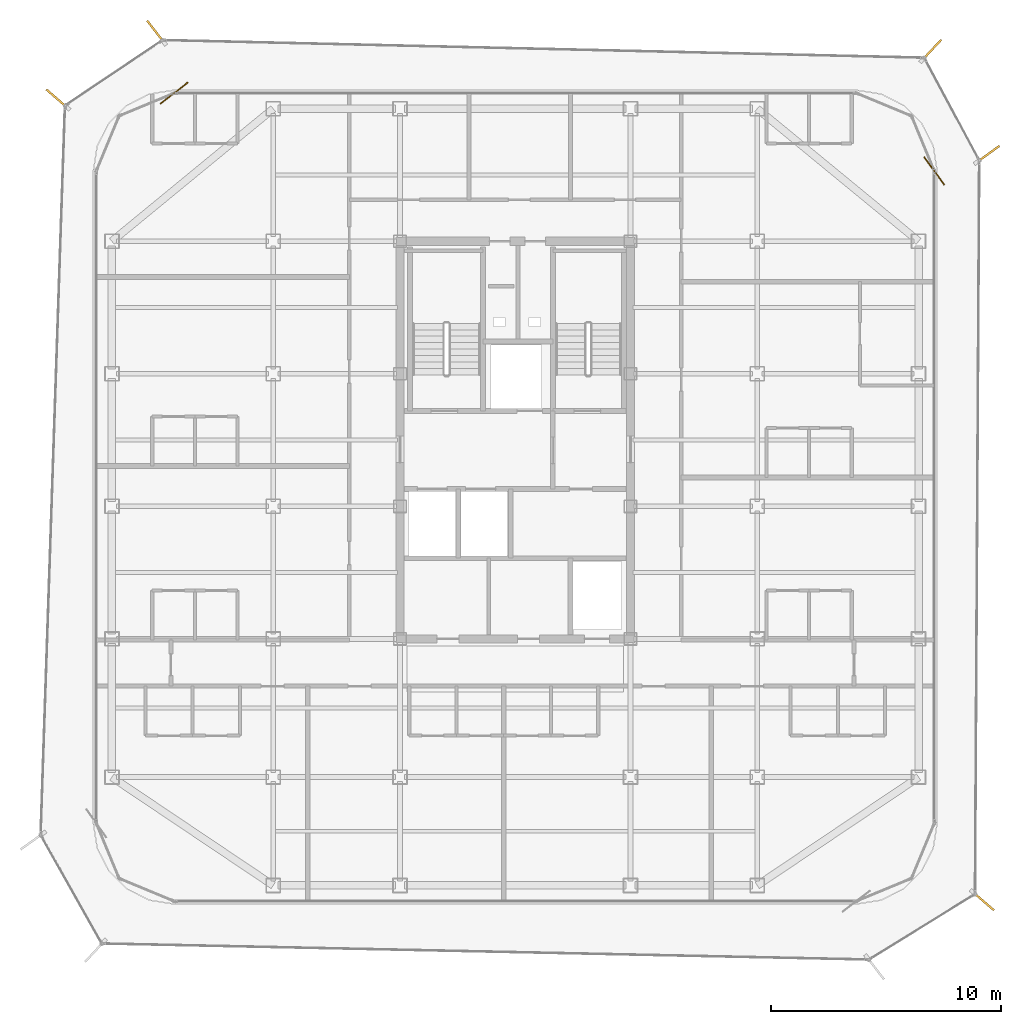
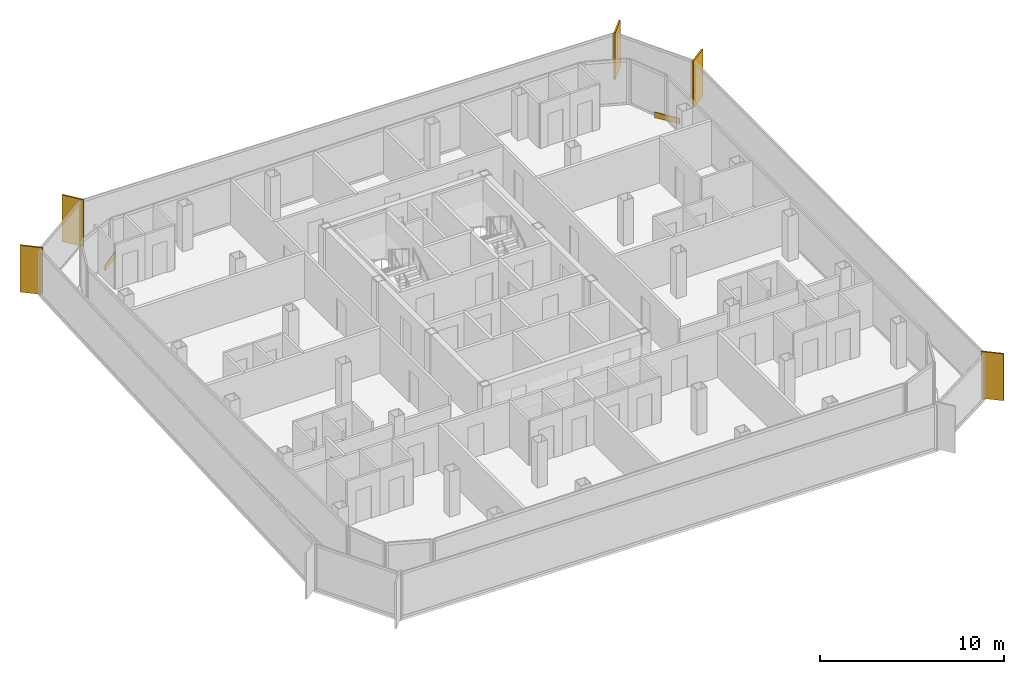
# One storey, part 16 of 16: 5 shading devices, 2 coverings.
"""IFC4 building model written with IfcOpenShell, lengths in metres."""

from ifc_helpers import new_model, si_unit, direction, frame, origin, origin_2d, place, context, subcontext, project, spatial, rectangle, extrude, source, transform, mapped, material, layer, layer_set, type_object, element, save


model = new_model("IFC4")

# Units and contexts
model_context = context("Model", 3, precision=1e-05, world=origin(), true_north=direction((0.0, 1.0)))
body_context = subcontext(model_context, "Body", "Model", "MODEL_VIEW")
ifc_project = project(units=[si_unit("LENGTHUNIT", "METRE"), si_unit("AREAUNIT", "SQUARE_METRE"), si_unit("VOLUMEUNIT", "CUBIC_METRE"), si_unit("PLANEANGLEUNIT", "RADIAN"), si_unit("MASSUNIT", "GRAM", prefix="KILO")], contexts=[model_context])

# Site, building, storey
site_placement = place(None, origin())
site = spatial("IfcSite", under=ifc_project, at=site_placement, CompositionType="ELEMENT")
building_placement = place(site_placement, origin())
building = spatial("IfcBuilding", under=site, at=building_placement, Name="Kolveth Station Tower", CompositionType="ELEMENT")
storey_placement = place(building_placement, frame((0.0, 0.0, 232.89990234375)))
storey = spatial("IfcBuildingStorey", under=building, at=storey_placement, Name="L66", CompositionType="ELEMENT", Elevation=232.89990234375)

# Shading devices
ifc_material_1 = material(Name="Black anodized aluminium 6063-T6", Category="aluminium")
shading_device_type = type_object("IfcShadingDeviceType", Name="FIN_VF1", PredefinedType="USERDEFINED", material=ifc_material_1)
shared_shape_1 = source(origin(), body_context, "Body", "SweptSolid", [
    extrude(rectangle(XDim=1.25, YDim=0.090087890625, at=origin_2d()), origin(), (0.0, 0.0, 1.0), 3.10009765625),
])
for number, where, z_axis, x_axis, name in (
    (1, (43.797119140625, 0.132080078125, 0.0), (0.0, 0.0, 1.0), (0.756995055652, -0.65342060399, 0.0), "L66 Dark-Aluminium Solar Fin 2"),
    (2, (44.0029296875, 32.52294921875, 0.0), (0.0, 0.0, 1.0), (0.809427148707, 0.587220308688, 0.0), "L66 Dark-Aluminium Solar Fin 3"),
    (3, (41.556884765625, 37.037109375, 0.0), (0.0, 0.0, 1.0), (0.68161533069, 0.731710694857, 0.0), "L66 Dark-Aluminium Solar Fin 4"),
    (4, (7.910888671875, 37.827880859375, 0.0), (0.0, 0.0, 1.0), (-0.611388936315, 0.791330252519, 0.0), "L66 Dark-Aluminium Solar Fin 5"),
    (5, (3.62890625, 34.926025390625, 0.0), (0.0, 0.0, 1.0), (-0.754709580223, 0.656059028991, 0.0), "L66 Dark-Aluminium Solar Fin 6"),
):
    element("IfcShadingDevice", number, at=place(storey_placement, frame(where, z_axis=z_axis, x_axis=x_axis)), inside=storey, type_object=shading_device_type, Name=name, ObjectType="FIN", PredefinedType="USERDEFINED", context=body_context, shape_type="MappedRepresentation", body=[
        mapped(shared_shape_1, transform((0.0, 0.0, 0.0), x_axis=(1.0, 0.0, 0.0), y_axis=(0.0, 1.0, 0.0), z_axis=(0.0, 0.0, 1.0), scale=1.0)),
    ])

# Coverings
ifc_material_2 = material(Name="Charcoal anodized aluminium spandrel cladding", Category="aluminium")
ifc_layer = layer(ifc_material_2, 0.044921875)
ifc_layer_set = layer_set([ifc_layer], Name="Charcoal anodized aluminium spandrel cladding")
covering_type = type_object("IfcCoveringType", Name="Clad_CD1", PredefinedType="CLADDING", material=ifc_layer_set)
shared_shape_2 = source(origin(), body_context, "Body", "SweptSolid", [
    extrude(rectangle(XDim=1.5, YDim=0.044921875, at=origin_2d()), origin(), (0.0, 0.0, 1.0), 0.360107421875),
])
for number, where, z_axis, x_axis, name in (
    (6, (41.679931640625, 31.800048828125, 0.0), (0.0, 0.0, 1.0), (-0.587220308688, 0.809427148707, 0.0), "L66 Spandrel Edge Cladding 3"),
    (7, (8.699951171875, 35.179931640625, 0.0), (0.0, 0.0, 1.0), (-0.791330252519, -0.611388936315, 0.0), "L66 Spandrel Edge Cladding 5"),
):
    element("IfcCovering", number, at=place(storey_placement, frame(where, z_axis=z_axis, x_axis=x_axis)), inside=storey, type_object=covering_type, Name=name, PredefinedType="CLADDING", context=body_context, shape_type="MappedRepresentation", body=[
        mapped(shared_shape_2, transform((0.0, 0.0, 0.0), x_axis=(1.0, 0.0, 0.0), y_axis=(0.0, 1.0, 0.0), z_axis=(0.0, 0.0, 1.0), scale=1.0)),
    ])

save(model, "model.ifc")
